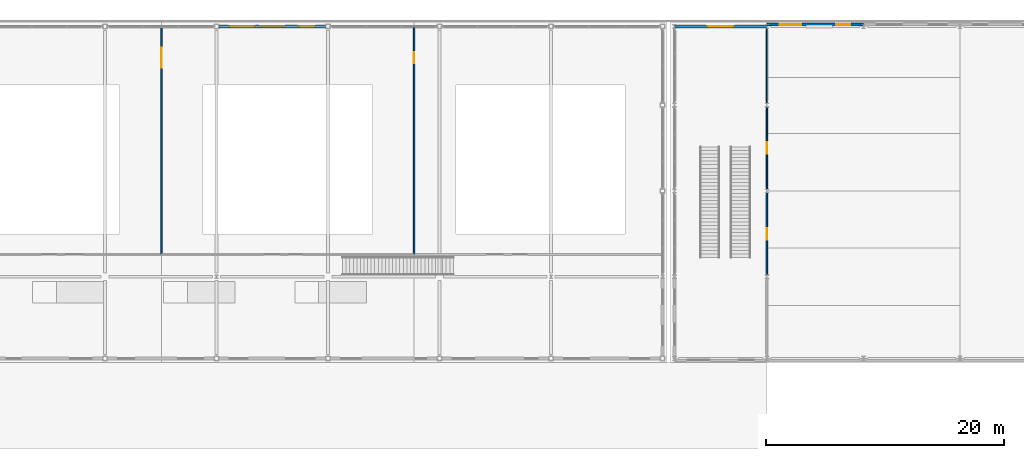
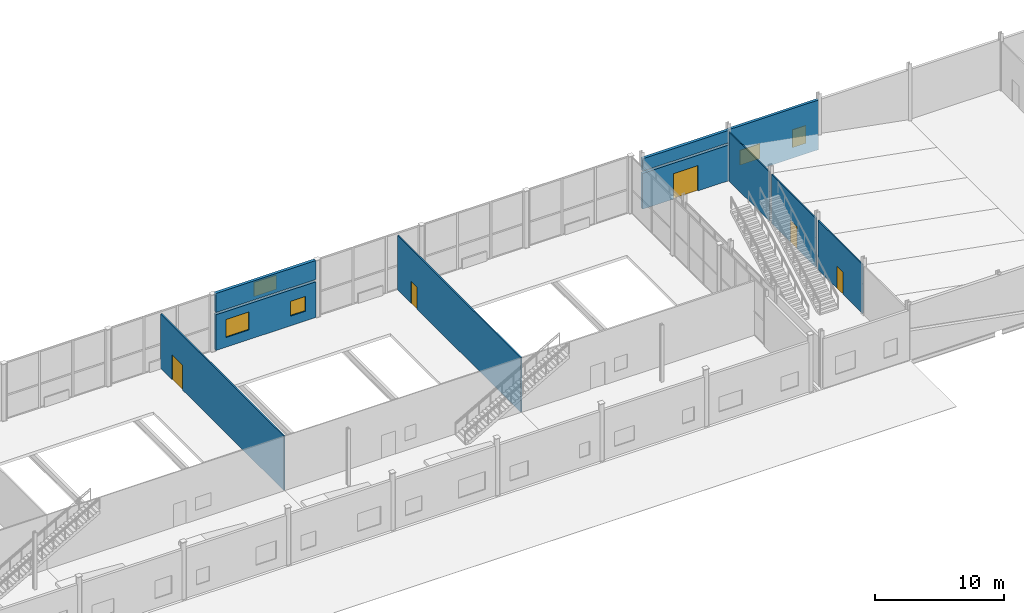
# One storey, part 70 of 83: 10 walls, 5 doors, 5 windows, 10 openings.
"""IFC4 building model written with IfcOpenShell, lengths in metres."""

from ifc_helpers import new_model, si_unit, direction, frame, frame_2d, origin, place, context, subcontext, project, spatial, rectangle, extrude, material, layer, layer_set, type_object, element, fill, save


model = new_model("IFC4")

# Units and contexts
model_context = context("Model", 3, precision=1e-05, world=origin(), true_north=direction((0.0, 1.0)))
body_context = subcontext(model_context, "Body", "Model", "MODEL_VIEW")
ifc_project = project(units=[si_unit("LENGTHUNIT", "METRE"), si_unit("AREAUNIT", "SQUARE_METRE"), si_unit("VOLUMEUNIT", "CUBIC_METRE"), si_unit("PLANEANGLEUNIT", "RADIAN"), si_unit("MASSUNIT", "GRAM", prefix="KILO")], contexts=[model_context])

# Site, building, storey
site_placement = place(None, origin())
site = spatial("IfcSite", under=ifc_project, at=site_placement, CompositionType="ELEMENT")
building_placement = place(site_placement, origin())
building = spatial("IfcBuilding", under=site, at=building_placement, Name="Quillay Park Conservatory", CompositionType="ELEMENT")
storey_placement = place(building_placement, origin())
storey = spatial("IfcBuildingStorey", under=building, at=storey_placement, Name="L00", CompositionType="ELEMENT", Elevation=0.0)

# Wall
ifc_material_1 = material(Name="Steel-Stud Acoustic Gypsum Board Partition", Category="steel")
ifc_layer_1 = layer(ifc_material_1, 0.10009765625)
ifc_layer_set_1 = layer_set([ifc_layer_1], Name="ACOUSTIC GYPSUM PARTITION 100 (Steel-Stud Acoustic Gypsum Board Partition)")
wall_type_1 = type_object("IfcWallType", Name="ACOUSTIC GYPSUM PARTITION 100", PredefinedType="PARTITIONING", material=ifc_layer_set_1)
wall_1_placement = place(storey_placement, frame((123.60009765625, 106.95654296875, 0.0), z_axis=(0.0, 0.0, 1.0), x_axis=(0.0, 1.0, 0.0)))
element("IfcWall", 1, at=wall_1_placement, inside=storey, type_object=wall_type_1, Name="L00 Auditorium Foyer Wall 106", PredefinedType="PARTITIONING", context=body_context, shape_type="SweptSolid", body=[
    extrude(rectangle(XDim=6.286865234375, YDim=0.10009765625, at=frame_2d((3.1435546875, 0.0))), origin(), (0.0, 0.0, 1.0), 4.64111328125),
])

# Wall, opening, door
ifc_material_2 = material(Name="Steel-Stud Acoustic Gypsum Board Partition", Category="steel")
ifc_layer_2 = layer(ifc_material_2, 0.10498046875)
ifc_layer_set_2 = layer_set([ifc_layer_2], Name="ACOUSTIC GYPSUM PARTITION 105 (Steel-Stud Acoustic Gypsum Board Partition)")
wall_type_2 = type_object("IfcWallType", Name="ACOUSTIC GYPSUM PARTITION 105", PredefinedType="PARTITIONING", material=ifc_layer_set_2)
wall_2_placement = place(storey_placement, frame((123.60009765625, 99.756591796875, 0.0), z_axis=(0.0, 0.0, 1.0), x_axis=(0.0, 1.0, 0.0)))
wall_2 = element("IfcWall", 2, at=wall_2_placement, inside=storey, type_object=wall_type_2, Name="L00 Auditorium Foyer Wall 99", PredefinedType="PARTITIONING", context=body_context, shape_type="SweptSolid", body=[
    extrude(rectangle(XDim=6.886962890625, YDim=0.10498046875, at=frame_2d((3.443359375, 0.0))), origin(), (0.0, 0.0, 1.0), 4.64111328125),
])
opening_1_placement = place(wall_2_placement, frame((2.943603515625, 0.0, 0.0)))
opening_1 = element("IfcOpeningElement", 3, at=opening_1_placement, cuts=wall_2, Name="Opening D-RM04", PredefinedType="OPENING", context=body_context, shape_type="SweptSolid", body=[
    extrude(rectangle(XDim=1.0, YDim=2.10009765625, at=frame_2d((0.5, 1.050048828125))), frame((0.0, 0.052490234375, 0.0), z_axis=(0.0, -1.0, 0.0), x_axis=(1.0, 0.0, 0.0)), (0.0, 0.0, 1.0), 0.10498046875),
])
ifc_material_3 = material(Name="Thermally Broken Anodised Aluminium 6063-T6", Category="aluminium")
door_type_1 = type_object("IfcDoorType", Name="SINGLE SWING DOOR 1000 X2100", OperationType="NOTDEFINED", PredefinedType="DOOR", material=ifc_material_3)
door_1_placement = place(opening_1_placement, origin())
door_1 = element("IfcDoor", 4, at=door_1_placement, inside=storey, type_object=door_type_1, Name="L00 Door to Botanical Auditorium Raked Hall", OperationType="SINGLE_SWING_RIGHT", OverallHeight=2.10009765625, OverallWidth=1.0, PredefinedType="DOOR", context=body_context, shape_type="SweptSolid", body=[
    extrude(rectangle(XDim=1.0, YDim=2.10009765625, at=frame_2d((0.5, 1.050048828125))), frame((0.0, 0.02490234375, 0.0), z_axis=(0.0, -1.0, 0.0), x_axis=(1.0, 0.0, 0.0)), (0.0, 0.0, 1.0), 0.050048828125),
])
fill(opening_1, door_1)

ifc_material_4 = material(Name="Steel-Stud Acoustic Gypsum Board Partition", Category="steel")
ifc_layer_3 = layer(ifc_material_4, 0.110107421875)
ifc_layer_set_3 = layer_set([ifc_layer_3], Name="ACOUSTIC GYPSUM PARTITION 110 (Steel-Stud Acoustic Gypsum Board Partition)")
wall_type_3 = type_object("IfcWallType", Name="ACOUSTIC GYPSUM PARTITION 110", PredefinedType="PARTITIONING", material=ifc_layer_set_3)
wall_3_placement = place(storey_placement, frame((123.60009765625, 92.556396484375, 0.0), z_axis=(0.0, 0.0, 1.0), x_axis=(0.0, 1.0, 0.0)))
wall_3 = element("IfcWall", 5, at=wall_3_placement, inside=storey, type_object=wall_type_3, Name="L00 Auditorium Foyer Wall 92", PredefinedType="PARTITIONING", context=body_context, shape_type="SweptSolid", body=[
    extrude(rectangle(XDim=6.88720703125, YDim=0.110107421875, at=frame_2d((3.443603515625, 0.0))), origin(), (0.0, 0.0, 1.0), 4.64111328125),
])
opening_2_placement = place(wall_3_placement, frame((2.95361328125, 0.0, 0.0)))
opening_2 = element("IfcOpeningElement", 6, at=opening_2_placement, cuts=wall_3, Name="Opening D-RM03", PredefinedType="OPENING", context=body_context, shape_type="SweptSolid", body=[
    extrude(rectangle(XDim=0.97998046875, YDim=2.10009765625, at=frame_2d((0.489990234375, 1.050048828125))), frame((0.0, 0.05517578125, 0.0), z_axis=(0.0, -1.0, 0.0), x_axis=(1.0, 0.0, 0.0)), (0.0, 0.0, 1.0), 0.110107421875),
])
ifc_material_5 = material(Name="Thermally Broken Anodised Aluminium 6063-T6", Category="aluminium")
door_type_2 = type_object("IfcDoorType", Name="SINGLE SWING DOOR 980 X2100", OperationType="NOTDEFINED", PredefinedType="DOOR", material=ifc_material_5)
door_2_placement = place(opening_2_placement, origin())
door_2 = element("IfcDoor", 7, at=door_2_placement, inside=storey, type_object=door_type_2, Name="L00 Door to Botanical Auditorium Raked Hall", OperationType="SINGLE_SWING_LEFT", OverallHeight=2.10009765625, OverallWidth=0.97998046875, PredefinedType="DOOR", context=body_context, shape_type="SweptSolid", body=[
    extrude(rectangle(XDim=0.97998046875, YDim=2.10009765625, at=frame_2d((0.489990234375, 1.050048828125))), frame((0.0, 0.02490234375, 0.0), z_axis=(0.0, -1.0, 0.0), x_axis=(1.0, 0.0, 0.0)), (0.0, 0.0, 1.0), 0.050048828125),
])
fill(opening_2, door_2)

ifc_material_6 = material(Name="Steel-Stud Acoustic Gypsum Board Partition", Category="steel")
ifc_layer_4 = layer(ifc_material_6, 0.125)
ifc_layer_set_4 = layer_set([ifc_layer_4], Name="ACOUSTIC GYPSUM PARTITION 125 (Steel-Stud Acoustic Gypsum Board Partition)")
wall_type_4 = type_object("IfcWallType", Name="ACOUSTIC GYPSUM PARTITION 125", PredefinedType="PARTITIONING", material=ifc_layer_set_4)
wall_4_placement = place(storey_placement, frame((94.0, 113.35009765625, 0.0), z_axis=(0.0, 0.0, 1.0), x_axis=(0.0, -1.0, 0.0)))
wall_4 = element("IfcWall", 8, at=wall_4_placement, inside=storey, type_object=wall_type_4, Name="L00 Conservatory Biome 3-4 Divider", PredefinedType="PARTITIONING", context=body_context, shape_type="SweptSolid", body=[
    extrude(rectangle(XDim=19.090087890625, YDim=0.125, at=frame_2d((9.544921875, 0.0))), origin(), (0.0, 0.0, 1.0), 5.14990234375),
])
opening_3_placement = place(wall_4_placement, frame((2.1298828125, 0.0, 0.0)))
opening_3 = element("IfcOpeningElement", 9, at=opening_3_placement, cuts=wall_4, Name="Opening D-RM01", PredefinedType="OPENING", context=body_context, shape_type="SweptSolid", body=[
    extrude(rectangle(XDim=0.919921875, YDim=2.10009765625, at=frame_2d((0.4599609375, 1.050048828125))), frame((0.0, 0.0625, 0.0), z_axis=(0.0, -1.0, 0.0), x_axis=(1.0, 0.0, 0.0)), (0.0, 0.0, 1.0), 0.125),
])
ifc_material_7 = material(Name="Thermally Broken Anodised Aluminium 6063-T6", Category="aluminium")
door_type_3 = type_object("IfcDoorType", Name="SINGLE SWING DOOR 920 X2100", OperationType="NOTDEFINED", PredefinedType="DOOR", material=ifc_material_7)
door_3_placement = place(opening_3_placement, origin())
door_3 = element("IfcDoor", 10, at=door_3_placement, inside=storey, type_object=door_type_3, Name="L00 Door to Conservatory Biome 3-4 Causeway", OperationType="SINGLE_SWING_LEFT", OverallHeight=2.10009765625, OverallWidth=0.919921875, PredefinedType="DOOR", context=body_context, shape_type="SweptSolid", body=[
    extrude(rectangle(XDim=0.919921875, YDim=2.10009765625, at=frame_2d((0.4599609375, 1.050048828125))), frame((0.0, 0.02490234375, 0.0), z_axis=(0.0, -1.0, 0.0), x_axis=(1.0, 0.0, 0.0)), (0.0, 0.0, 1.0), 0.050048828125),
])
fill(opening_3, door_3)

ifc_material_8 = material(Name="Steel-Stud Acoustic Gypsum Board Partition", Category="steel")
ifc_layer_5 = layer(ifc_material_8, 0.1298828125)
ifc_layer_set_5 = layer_set([ifc_layer_5], Name="ACOUSTIC GYPSUM PARTITION 130 (Steel-Stud Acoustic Gypsum Board Partition)")
wall_type_5 = type_object("IfcWallType", Name="ACOUSTIC GYPSUM PARTITION 130", PredefinedType="PARTITIONING", material=ifc_layer_set_5)
wall_5_placement = place(storey_placement, frame((72.800048828125, 113.35009765625, 0.0), z_axis=(0.0, 0.0, 1.0), x_axis=(0.0, -1.0, 0.0)))
wall_5 = element("IfcWall", 11, at=wall_5_placement, inside=storey, type_object=wall_type_5, Name="L00 Conservatory Biome 2-3 Divider", PredefinedType="PARTITIONING", context=body_context, shape_type="SweptSolid", body=[
    extrude(rectangle(XDim=19.090087890625, YDim=0.1298828125, at=frame_2d((9.544921875, 0.0))), origin(), (0.0, 0.0, 1.0), 5.14990234375),
])
opening_4_placement = place(wall_5_placement, frame((1.75, 0.0, 0.0)))
opening_4 = element("IfcOpeningElement", 12, at=opening_4_placement, cuts=wall_5, Name="Opening D-RM38", PredefinedType="OPENING", context=body_context, shape_type="SweptSolid", body=[
    extrude(rectangle(XDim=1.679931640625, YDim=2.35009765625, at=frame_2d((0.83984375, 1.175048828125))), frame((0.0, 0.06494140625, 0.0), z_axis=(0.0, -1.0, 0.0), x_axis=(1.0, 0.0, 0.0)), (0.0, 0.0, 1.0), 0.1298828125),
])
ifc_material_9 = material(Name="Thermally Broken Anodised Aluminium 6063-T6", Category="aluminium")
door_type_4 = type_object("IfcDoorType", Name="SINGLE SWING DOOR 1680 X2350", OperationType="NOTDEFINED", PredefinedType="DOOR", material=ifc_material_9)
door_4_placement = place(opening_4_placement, origin())
door_4 = element("IfcDoor", 13, at=door_4_placement, inside=storey, type_object=door_type_4, Name="L00 Door to Conservatory Biome 2-3 Causeway", OperationType="SINGLE_SWING_RIGHT", OverallHeight=2.35009765625, OverallWidth=1.679931640625, PredefinedType="DOOR", context=body_context, shape_type="SweptSolid", body=[
    extrude(rectangle(XDim=1.679931640625, YDim=2.35009765625, at=frame_2d((0.83984375, 1.175048828125))), frame((0.0, 0.02490234375, 0.0), z_axis=(0.0, -1.0, 0.0), x_axis=(1.0, 0.0, 0.0)), (0.0, 0.0, 1.0), 0.050048828125),
])
fill(opening_4, door_4)

# Wall, openings, windows
ifc_material_10 = material(Name="Glass-Fibre Reinforced Concrete (GRC) Cladding", Category="concrete")
ifc_layer_6 = layer(ifc_material_10, 0.239990234375)
ifc_layer_set_6 = layer_set([ifc_layer_6], Name="EXTERIOR SOLID WALL 240 (Glass-Fibre Reinforced Concrete (GRC) Cladding)")
wall_type_6 = type_object("IfcWallType", Name="EXTERIOR SOLID WALL 240", PredefinedType="SOLIDWALL", material=ifc_layer_set_6)
wall_6_placement = place(storey_placement, frame((123.60009765625, 113.550048828125, 0.0), z_axis=(0.0, 0.0, 1.0), x_axis=(1.0, 0.0, 0.0)))
wall_6 = element("IfcWall", 14, at=wall_6_placement, inside=storey, type_object=wall_type_6, Name="L00 External Wall WL-EXT-V2NB-L00-0", PredefinedType="SOLIDWALL", context=body_context, shape_type="SweptSolid", body=[
    extrude(rectangle(XDim=8.099853515625, YDim=0.239990234375, at=frame_2d((4.0498046875, 0.0))), origin(), (0.0, 0.0, 1.0), 4.699951171875),
])
opening_5_placement = place(wall_6_placement, frame((1.10009765625, 0.0, 0.919921875)))
opening_5 = element("IfcOpeningElement", 15, at=opening_5_placement, cuts=wall_6, Name="Opening W-05", PredefinedType="OPENING", context=body_context, shape_type="SweptSolid", body=[
    extrude(rectangle(XDim=1.800048828125, YDim=1.39990234375, at=frame_2d((0.89990234375, 0.699951171875))), frame((0.0, 0.1201171875, 0.0), z_axis=(0.0, -1.0, 0.0), x_axis=(1.0, 0.0, 0.0)), (0.0, 0.0, 1.0), 0.239990234375),
])
opening_6_placement = place(wall_6_placement, frame((5.800048828125, 0.0, 0.919921875)))
opening_6 = element("IfcOpeningElement", 16, at=opening_6_placement, cuts=wall_6, Name="Opening W-12", PredefinedType="OPENING", context=body_context, shape_type="SweptSolid", body=[
    extrude(rectangle(XDim=1.199951171875, YDim=1.699951171875, at=frame_2d((0.60009765625, 0.85009765625))), frame((0.0, 0.1201171875, 0.0), z_axis=(0.0, -1.0, 0.0), x_axis=(1.0, 0.0, 0.0)), (0.0, 0.0, 1.0), 0.239990234375),
])
ifc_material_11 = material(Name="Low-E Double Glazing (Laminated Tempered)", Category="glass")
window_type_1 = type_object("IfcWindowType", Name="FIXED CASEMENT WINDOW 1200 X1700", PartitioningType="SINGLE_PANEL", PredefinedType="WINDOW", material=ifc_material_11)
window_1_placement = place(opening_6_placement, origin())
window_1 = element("IfcWindow", 17, at=window_1_placement, inside=storey, type_object=window_type_1, Name="L00 Exterior Window 0378", OverallHeight=1.699951171875, OverallWidth=1.199951171875, PartitioningType="SINGLE_PANEL", PredefinedType="WINDOW", context=body_context, shape_type="SweptSolid", body=[
    extrude(rectangle(XDim=1.199951171875, YDim=1.699951171875, at=frame_2d((0.60009765625, 0.85009765625))), frame((0.0, 0.030029296875, 0.0), z_axis=(0.0, -1.0, 0.0), x_axis=(1.0, 0.0, 0.0)), (0.0, 0.0, 1.0), 0.06005859375),
])
fill(opening_6, window_1)
ifc_material_12 = material(Name="Low-E Double Glazing (Laminated Tempered)", Category="glass")
window_type_2 = type_object("IfcWindowType", Name="FIXED CASEMENT WINDOW 1800 X1400", PartitioningType="DOUBLE_PANEL_VERTICAL", PredefinedType="WINDOW", material=ifc_material_12)
window_2_placement = place(opening_5_placement, origin())
window_2 = element("IfcWindow", 18, at=window_2_placement, inside=storey, type_object=window_type_2, Name="L00 Exterior Window 0377", OverallHeight=1.39990234375, OverallWidth=1.800048828125, PartitioningType="DOUBLE_PANEL_VERTICAL", PredefinedType="WINDOW", context=body_context, shape_type="SweptSolid", body=[
    extrude(rectangle(XDim=1.800048828125, YDim=1.39990234375, at=frame_2d((0.89990234375, 0.699951171875))), frame((0.0, 0.030029296875, 0.0), z_axis=(0.0, -1.0, 0.0), x_axis=(1.0, 0.0, 0.0)), (0.0, 0.0, 1.0), 0.06005859375),
])
fill(opening_5, window_2)

ifc_material_13 = material(Name="Glass-Fibre Reinforced Concrete (GRC) Cladding", Category="concrete")
ifc_layer_7 = layer(ifc_material_13, 0.260009765625)
ifc_layer_set_7 = layer_set([ifc_layer_7], Name="EXTERIOR SOLID WALL 260 (Glass-Fibre Reinforced Concrete (GRC) Cladding)")
wall_type_7 = type_object("IfcWallType", Name="EXTERIOR SOLID WALL 260", PredefinedType="SOLIDWALL", material=ifc_layer_set_7)
wall_7_placement = place(storey_placement, frame((77.62890625, 113.39990234375, 0.0), z_axis=(0.0, 0.0, 1.0), x_axis=(1.0, 0.0, 0.0)))
wall_7 = element("IfcWall", 19, at=wall_7_placement, inside=storey, type_object=wall_type_7, Name="L00 External Wall WL-EXT-V1N-B5", PredefinedType="SOLIDWALL", context=body_context, shape_type="SweptSolid", body=[
    extrude(rectangle(XDim=8.953125, YDim=0.260009765625, at=frame_2d((4.4765625, 0.0))), origin(), (0.0, 0.0, 1.0), 3.383056640625),
])
opening_7_placement = place(wall_7_placement, frame((0.898681640625, 0.0, 0.919921875)))
opening_7 = element("IfcOpeningElement", 20, at=opening_7_placement, cuts=wall_7, Name="Opening W-15", PredefinedType="OPENING", context=body_context, shape_type="SweptSolid", body=[
    extrude(rectangle(XDim=2.10009765625, YDim=1.699951171875, at=frame_2d((1.050048828125, 0.85009765625))), frame((0.0, 0.1298828125, 0.0), z_axis=(0.0, -1.0, 0.0), x_axis=(1.0, 0.0, 0.0)), (0.0, 0.0, 1.0), 0.260009765625),
])
opening_8_placement = place(wall_7_placement, frame((6.704345703125, 0.0, 0.919921875)))
opening_8 = element("IfcOpeningElement", 21, at=opening_8_placement, cuts=wall_7, Name="Opening W-02", PredefinedType="OPENING", context=body_context, shape_type="SweptSolid", body=[
    extrude(rectangle(XDim=1.35009765625, YDim=1.39990234375, at=frame_2d((0.675048828125, 0.699951171875))), frame((0.0, 0.1298828125, 0.0), z_axis=(0.0, -1.0, 0.0), x_axis=(1.0, 0.0, 0.0)), (0.0, 0.0, 1.0), 0.260009765625),
])
ifc_material_14 = material(Name="Low-E Double Glazing (Laminated Tempered)", Category="glass")
window_type_3 = type_object("IfcWindowType", Name="FIXED CASEMENT WINDOW 1350 X1400", PartitioningType="SINGLE_PANEL", PredefinedType="WINDOW", material=ifc_material_14)
window_3_placement = place(opening_8_placement, origin())
window_3 = element("IfcWindow", 22, at=window_3_placement, inside=storey, type_object=window_type_3, Name="L00 Exterior Window 0333", OverallHeight=1.39990234375, OverallWidth=1.35009765625, PartitioningType="SINGLE_PANEL", PredefinedType="WINDOW", context=body_context, shape_type="SweptSolid", body=[
    extrude(rectangle(XDim=1.35009765625, YDim=1.39990234375, at=frame_2d((0.675048828125, 0.699951171875))), frame((0.0, 0.030029296875, 0.0), z_axis=(0.0, -1.0, 0.0), x_axis=(1.0, 0.0, 0.0)), (0.0, 0.0, 1.0), 0.06005859375),
])
fill(opening_8, window_3)
ifc_material_15 = material(Name="Low-E Double Glazing (Laminated Tempered)", Category="glass")
window_type_4 = type_object("IfcWindowType", Name="FIXED CASEMENT WINDOW 2100 X1700", PartitioningType="DOUBLE_PANEL_VERTICAL", PredefinedType="WINDOW", material=ifc_material_15)
window_4_placement = place(opening_7_placement, origin())
window_4 = element("IfcWindow", 23, at=window_4_placement, inside=storey, type_object=window_type_4, Name="L00 Exterior Window 0332", OverallHeight=1.699951171875, OverallWidth=2.10009765625, PartitioningType="DOUBLE_PANEL_VERTICAL", PredefinedType="WINDOW", context=body_context, shape_type="SweptSolid", body=[
    extrude(rectangle(XDim=2.10009765625, YDim=1.699951171875, at=frame_2d((1.050048828125, 0.85009765625))), frame((0.0, 0.030029296875, 0.0), z_axis=(0.0, -1.0, 0.0), x_axis=(1.0, 0.0, 0.0)), (0.0, 0.0, 1.0), 0.06005859375),
])
fill(opening_7, window_4)

# Wall, opening, window
wall_8_placement = place(storey_placement, frame((86.58203125, 113.39990234375, 3.60205078125), z_axis=(0.0, 0.0, 1.0), x_axis=(-1.0, 0.0, 0.0)))
wall_8 = element("IfcWall", 24, at=wall_8_placement, inside=storey, type_object=wall_type_7, Name="L00 External Wall WL-EXT-V1N-B5U", PredefinedType="SOLIDWALL", context=body_context, shape_type="SweptSolid", body=[
    extrude(rectangle(XDim=8.953125, YDim=0.260009765625, at=frame_2d((4.4765625, 0.0))), origin(), (0.0, 0.0, 1.0), 1.7978515625),
])
opening_9_placement = place(wall_8_placement, frame((3.4765625, 0.0, 0.219970703125)))
opening_9 = element("IfcOpeningElement", 25, at=opening_9_placement, cuts=wall_8, Name="Opening W-20", PredefinedType="OPENING", context=body_context, shape_type="SweptSolid", body=[
    extrude(rectangle(XDim=2.0, YDim=1.35009765625, at=frame_2d((1.0, 0.675048828125))), frame((0.0, 0.1298828125, 0.0), z_axis=(0.0, -1.0, 0.0), x_axis=(1.0, 0.0, 0.0)), (0.0, 0.0, 1.0), 0.260009765625),
])
ifc_material_16 = material(Name="Low-E Double Glazing (Laminated Tempered)", Category="glass")
window_type_5 = type_object("IfcWindowType", Name="FIXED CASEMENT WINDOW 2000 X1350", PartitioningType="DOUBLE_PANEL_VERTICAL", PredefinedType="WINDOW", material=ifc_material_16)
window_5_placement = place(opening_9_placement, origin())
window_5 = element("IfcWindow", 26, at=window_5_placement, inside=storey, type_object=window_type_5, Name="L00 Exterior Window 0334", OverallHeight=1.35009765625, OverallWidth=2.0, PartitioningType="DOUBLE_PANEL_VERTICAL", PredefinedType="WINDOW", context=body_context, shape_type="SweptSolid", body=[
    extrude(rectangle(XDim=2.0, YDim=1.35009765625, at=frame_2d((1.0, 0.675048828125))), frame((0.0, 0.030029296875, 0.0), z_axis=(0.0, -1.0, 0.0), x_axis=(1.0, 0.0, 0.0)), (0.0, 0.0, 1.0), 0.06005859375),
])
fill(opening_9, window_5)

# Wall, opening, door
wall_9_placement = place(storey_placement, frame((115.85009765625, 113.39990234375, 0.0), z_axis=(0.0, 0.0, 1.0), x_axis=(1.0, 0.0, 0.0)))
wall_9 = element("IfcWall", 27, at=wall_9_placement, inside=storey, type_object=wall_type_7, Name="L00 External Wall WL-EXT-V2N-L00", PredefinedType="SOLIDWALL", context=body_context, shape_type="SweptSolid", body=[
    extrude(rectangle(XDim=7.75, YDim=0.260009765625, at=frame_2d((3.875, 0.0))), origin(), (0.0, 0.0, 1.0), 3.383056640625),
])
opening_10_placement = place(wall_9_placement, frame((2.75, 0.0, 0.0)))
opening_10 = element("IfcOpeningElement", 28, at=opening_10_placement, cuts=wall_9, Name="Opening D-EX08", PredefinedType="OPENING", context=body_context, shape_type="SweptSolid", body=[
    extrude(rectangle(XDim=2.199951171875, YDim=2.39990234375, at=frame_2d((1.10009765625, 1.199951171875))), frame((0.0, 0.1298828125, 0.0), z_axis=(0.0, -1.0, 0.0), x_axis=(1.0, 0.0, 0.0)), (0.0, 0.0, 1.0), 0.260009765625),
])
ifc_material_17 = material(Name="Thermally Broken Anodised Aluminium 6063-T6", Category="aluminium")
door_type_5 = type_object("IfcDoorType", Name="PEDESTRIAN EXIT DOOR 2200 X2400", OperationType="NOTDEFINED", PredefinedType="DOOR", material=ifc_material_17)
door_5_placement = place(opening_10_placement, origin())
door_5 = element("IfcDoor", 29, at=door_5_placement, inside=storey, type_object=door_type_5, Name="Auditorium Park Foyer Pedestrian Exit D-EX08", OperationType="DOUBLE_DOOR_SINGLE_SWING", OverallHeight=2.39990234375, OverallWidth=2.199951171875, PredefinedType="DOOR", context=body_context, shape_type="SweptSolid", body=[
    extrude(rectangle(XDim=2.199951171875, YDim=2.39990234375, at=frame_2d((1.10009765625, 1.199951171875))), frame((0.0, 0.02490234375, 0.0), z_axis=(0.0, -1.0, 0.0), x_axis=(1.0, 0.0, 0.0)), (0.0, 0.0, 1.0), 0.050048828125),
])
fill(opening_10, door_5)

# Wall
wall_10_placement = place(storey_placement, frame((123.60009765625, 113.39990234375, 3.60205078125), z_axis=(0.0, 0.0, 1.0), x_axis=(-1.0, 0.0, 0.0)))
element("IfcWall", 30, at=wall_10_placement, inside=storey, type_object=wall_type_7, Name="L00 External Wall WL-EXT-V2N-L00U", PredefinedType="SOLIDWALL", context=body_context, shape_type="SweptSolid", body=[
    extrude(rectangle(XDim=7.75, YDim=0.260009765625, at=frame_2d((3.875, 0.0))), origin(), (0.0, 0.0, 1.0), 1.1650390625),
])

save(model, "model.ifc")
